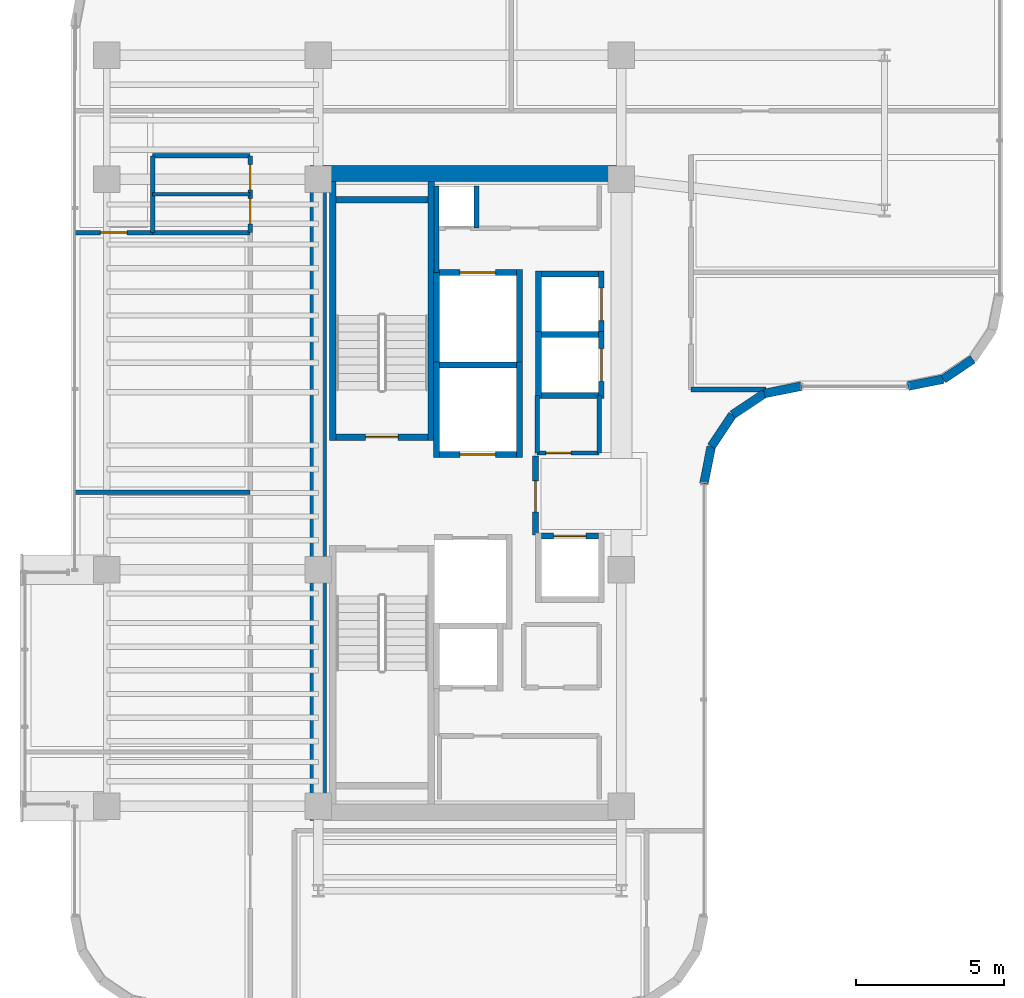
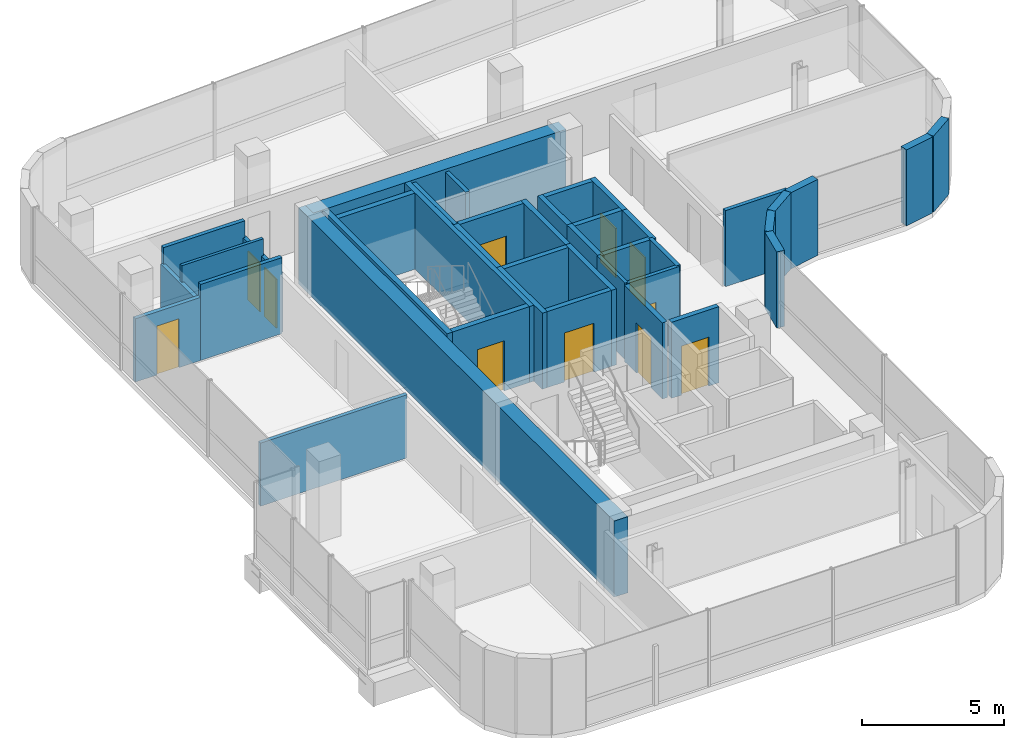
# One storey, part 19 of 22: 41 walls, 11 doors, 11 openings.
"""IFC4 building model written with IfcOpenShell, lengths in metres."""

import ifcopenshell
import ifcopenshell.guid

model = None  # the IFC model being written
_history = None  # IfcOwnerHistory: only IFC2X3 demands one
_inside = {}  # id of a spatial element -> (the spatial element, [elements in it])
_under = {}  # id of a project, library or spatial element -> (it, [spatial elements below it])
_declared = {}  # id of a project -> (the project, [libraries it declares])
_typed = {}  # id of a type object -> (the type object, [elements of that type])
_made_of = {}  # id of a material, layer set ... -> (it, [elements and type objects made of it])


def new_model(schema):
    """Start an empty IFC model of exactly this schema.

    Asked for "IFC4X3", IfcOpenShell would pick the latest addendum, in which some entities
    have other attributes; the version numbers below select the first issue.
    IFC2X3 requires an IfcOwnerHistory on every rooted entity: one is made here for all.
    """
    global model, _history
    if schema == "IFC4X3":
        model = ifcopenshell.file(schema_version=(4, 3, 0, 0))
    else:
        model = ifcopenshell.file(schema=schema)
    _inside.clear()
    _under.clear()
    _declared.clear()
    _typed.clear()
    _made_of.clear()
    _history = None
    if model.schema == "IFC2X3":
        org = make("IfcOrganization", Name="unknown")
        user = make(
            "IfcPersonAndOrganization",
            ThePerson=make("IfcPerson", FamilyName="unknown"),
            TheOrganization=org,
        )
        app = make(
            "IfcApplication",
            ApplicationDeveloper=org,
            Version="unknown",
            ApplicationFullName="unknown",
            ApplicationIdentifier="unknown",
        )
        _history = make(
            "IfcOwnerHistory",
            OwningUser=user,
            OwningApplication=app,
            ChangeAction="ADDED",
            CreationDate=0,
        )
    return model


def make(cls, **values):
    """One entity of the class cls with the attributes given. An attribute that is None is left unset."""
    return model.create_entity(
        cls, **{name: value for name, value in values.items() if value is not None}
    )


def rooted(cls, **values):
    """An entity with a GlobalId (a new one), such as an element, a storey or a relation."""
    return make(cls, GlobalId=ifcopenshell.guid.new(), OwnerHistory=_history, **values)


def si_unit(unit_type, name, prefix=None):
    """IfcSIUnit, for example si_unit("LENGTHUNIT", "METRE", prefix="MILLI")."""
    return make("IfcSIUnit", UnitType=unit_type, Prefix=prefix, Name=name)


def assignment(units):
    """IfcUnitAssignment: the units of a project."""
    return None if units is None else make("IfcUnitAssignment", Units=units)


def point(xyz):
    """IfcCartesianPoint."""
    return None if xyz is None else make("IfcCartesianPoint", Coordinates=xyz)


def direction(xyz):
    """IfcDirection."""
    return None if xyz is None else make("IfcDirection", DirectionRatios=xyz)


def frame(location, z_axis=None, x_axis=None):
    """IfcAxis2Placement3D, a coordinate frame: its origin and axes. An axis left out is left unset."""
    return make(
        "IfcAxis2Placement3D",
        Location=point(location),
        Axis=direction(z_axis),
        RefDirection=direction(x_axis),
    )


def frame_2d(location, x_axis=None):
    """IfcAxis2Placement2D, a coordinate frame in the plane: its origin and x axis."""
    return make(
        "IfcAxis2Placement2D", Location=point(location), RefDirection=direction(x_axis)
    )


def origin():
    """The frame at (0, 0, 0) with its axes left unset."""
    return frame((0.0, 0.0, 0.0))


def place(relative_to, where):
    """IfcLocalPlacement: puts the frame where relative to a parent placement (None: the world)."""
    return make(
        "IfcLocalPlacement", PlacementRelTo=relative_to, RelativePlacement=where
    )


def context(
    kind, dimensions, precision=None, world=None, true_north=None, identifier=None
):
    """IfcGeometricRepresentationContext, for example the 3D "Model" context."""
    return make(
        "IfcGeometricRepresentationContext",
        ContextIdentifier=identifier,
        ContextType=kind,
        CoordinateSpaceDimension=dimensions,
        Precision=precision,
        WorldCoordinateSystem=world,
        TrueNorth=true_north,
    )


def subcontext(parent, identifier, kind, view, scale=None):
    """IfcGeometricRepresentationSubContext, for example "Body" below "Model"."""
    return make(
        "IfcGeometricRepresentationSubContext",
        ContextIdentifier=identifier,
        ContextType=kind,
        ParentContext=parent,
        TargetScale=scale,
        TargetView=view,
    )


def project(units=None, contexts=None):
    """IfcProject with its units and contexts."""
    return rooted(
        "IfcProject",
        Name="project",
        RepresentationContexts=contexts,
        UnitsInContext=assignment(units),
    )


def spatial(cls, under=None, at=None, **own):
    """A site, building, storey or space (cls), placed at a placement, below another one or the project."""
    s = rooted(cls, ObjectPlacement=at, **own)
    if under is not None:
        _under.setdefault(under.id(), (under, []))[1].append(s)
    return s


def profile(cls, at=None, kind="AREA", **sizes):
    """A parametric profile (cls). Its sizes go by their IFC names, for example OverallWidth=200.0."""
    return make(cls, ProfileType=kind, Position=at, **sizes)


def rectangle(**sizes):
    """IfcRectangleProfileDef."""
    return profile("IfcRectangleProfileDef", **sizes)


def extrude(swept, where, along, depth):
    """IfcExtrudedAreaSolid: the profile swept, set in the frame where, extruded along a direction by depth."""
    return make(
        "IfcExtrudedAreaSolid",
        SweptArea=swept,
        Position=where,
        ExtrudedDirection=direction(along),
        Depth=depth,
    )


def shape(context_of_items, identifier, shape_type, items):
    """IfcShapeRepresentation: the items that make up one representation, for example the "Body"."""
    return make(
        "IfcShapeRepresentation",
        ContextOfItems=context_of_items,
        RepresentationIdentifier=identifier,
        RepresentationType=shape_type,
        Items=items,
    )


def material(Name=None, Category=None):
    """IfcMaterial."""
    return make("IfcMaterial", Name=Name, Category=Category)


def layer(
    of_material, thickness, ventilated=None, Name=None, Category=None, Priority=None
):
    """IfcMaterialLayer: one layer of a wall or slab, of a material (None: an air gap)."""
    return make(
        "IfcMaterialLayer",
        Material=of_material,
        LayerThickness=thickness,
        IsVentilated=ventilated,
        Name=Name,
        Category=Category,
        Priority=Priority,
    )


def layer_set(layers, Name=None):
    """IfcMaterialLayerSet."""
    return make("IfcMaterialLayerSet", MaterialLayers=layers, LayerSetName=Name)


def made_of(thing, what):
    """Note that an element or type object is made of a material, layer set ...; save() writes the relation."""
    if what is not None:
        _made_of.setdefault(what.id(), (what, []))[1].append(thing)
    return thing


def type_object(cls, material=None, **own):
    """A type object (cls), such as IfcWallType, which elements share."""
    return made_of(rooted(cls, **own), material)


def element(
    cls,
    number,
    at=None,
    inside=None,
    cuts=None,
    type_object=None,
    material=None,
    context=None,
    identifier="Body",
    shape_type=None,
    held_by="IfcProductDefinitionShape",
    body=None,
    shapes=None,
    **own,
):
    """One element of the class cls, such as IfcWall. Its Tag is "e" and its number.

    at: its placement. inside: the storey or other place that contains it. cuts: it is an
    opening in that element (IfcRelVoidsElement). A single representation is given by context,
    identifier, shape_type and body (its items); several are given by shapes. held_by: the class
    of the entity that holds the representations. save() writes the other relations.
    """
    e = rooted(cls, Tag="e%d" % number, ObjectPlacement=at, **own)
    if body is not None:
        shapes = [shape(context, identifier, shape_type, body)]
    if shapes is not None:
        e.Representation = make(held_by, Representations=shapes)
    if inside is not None:
        _inside.setdefault(inside.id(), (inside, []))[1].append(e)
    if cuts is not None:
        rooted(
            "IfcRelVoidsElement", RelatingBuildingElement=cuts, RelatedOpeningElement=e
        )
    if type_object is not None:
        _typed.setdefault(type_object.id(), (type_object, []))[1].append(e)
    return made_of(e, material)


def fill(opening, filler):
    """IfcRelFillsElement: the door or window that sits in an opening."""
    return rooted(
        "IfcRelFillsElement",
        RelatingOpeningElement=opening,
        RelatedBuildingElement=filler,
    )


def aggregate(whole, parts):
    """IfcRelAggregates: a whole, such as a stair, and the parts it consists of."""
    return rooted("IfcRelAggregates", RelatingObject=whole, RelatedObjects=parts)


def save(model, path):
    """Write the relations noted so far, then the file.

    IfcRelAggregates (storeys below a building ...), IfcRelContainedInSpatialStructure (elements
    in a storey), IfcRelDefinesByType, IfcRelAssociatesMaterial and IfcRelDeclares: one each for
    every whole, place, type object, material and project.
    """
    for whole, parts in _under.values():
        aggregate(whole, parts)
    for where, things in _inside.values():
        rooted(
            "IfcRelContainedInSpatialStructure",
            RelatedElements=things,
            RelatingStructure=where,
        )
    for kind, things in _typed.values():
        rooted("IfcRelDefinesByType", RelatedObjects=things, RelatingType=kind)
    for what, things in _made_of.values():
        rooted("IfcRelAssociatesMaterial", RelatedObjects=things, RelatingMaterial=what)
    for by, libraries in _declared.values():
        rooted("IfcRelDeclares", RelatingContext=by, RelatedDefinitions=libraries)
    model.write(path)


model = new_model("IFC4")

# Units and contexts
model_context = context("Model", 3, precision=1e-05, world=origin(), true_north=direction((0.0, 1.0)))
body_context = subcontext(model_context, "Body", "Model", "MODEL_VIEW")
ifc_project = project(units=[si_unit("LENGTHUNIT", "METRE"), si_unit("AREAUNIT", "SQUARE_METRE"), si_unit("VOLUMEUNIT", "CUBIC_METRE"), si_unit("PLANEANGLEUNIT", "RADIAN"), si_unit("MASSUNIT", "GRAM", prefix="KILO")], contexts=[model_context])

# Site, building, storey
site_placement = place(None, origin())
site = spatial("IfcSite", under=ifc_project, at=site_placement, CompositionType="ELEMENT")
building_placement = place(site_placement, origin())
building = spatial("IfcBuilding", under=site, at=building_placement, Name="Valdorenza Pilgrim Sanctuary Tower", CompositionType="ELEMENT")
storey_placement = place(building_placement, frame((0.0, 0.0, 233.5)))
storey = spatial("IfcBuildingStorey", under=building, at=storey_placement, Name="L60", CompositionType="ELEMENT", Elevation=233.5)

# Walls
ifc_material_1 = material(Name="Acoustic twin-stud gypsum partition", Category="gypsum")
ifc_layer_1 = layer(ifc_material_1, 0.159912109375, Name="Acoustic twin-stud gypsum partition")
ifc_layer_set_1 = layer_set([ifc_layer_1], Name="Acoustic twin-stud gypsum partition")
wall_type_1 = type_object("IfcWallType", Name="WAL-COR-160", PredefinedType="PARTITIONING", material=ifc_layer_set_1)
wall_1_placement = place(storey_placement, frame((-18.64990234375, 7.449951171875, 0.0), z_axis=(0.0, 0.0, 1.0), x_axis=(0.0, 1.0, 0.0)))
element("IfcWall", 1, at=wall_1_placement, inside=storey, type_object=wall_type_1, Name="L60 Core A North Service West Wall", PredefinedType="PARTITIONING", context=body_context, shape_type="SweptSolid", body=[
    extrude(rectangle(XDim=2.929931640625, YDim=0.159912109375, at=frame_2d((1.46484375, 0.0))), origin(), (0.0, 0.0, 1.0), 3.260009765625),
])
wall_2_placement = place(storey_placement, frame((-17.300048828125, 8.949951171875, 0.0), z_axis=(0.0, 0.0, 1.0), x_axis=(0.0, 1.0, 0.0)))
element("IfcWall", 2, at=wall_2_placement, inside=storey, type_object=wall_type_1, Name="L60 Core Electrical Riser Wall", PredefinedType="PARTITIONING", context=body_context, shape_type="SweptSolid", body=[
    extrude(rectangle(XDim=1.429931640625, YDim=0.159912109375, at=frame_2d((0.71484375, 0.0))), origin(), (0.0, 0.0, 1.0), 3.260009765625),
])
wall_3_placement = place(storey_placement, frame((-13.14990234375, 1.35009765625, 0.0), z_axis=(0.0, 0.0, 1.0), x_axis=(0.0, 1.0, 0.0)))
element("IfcWall", 3, at=wall_3_placement, inside=storey, type_object=wall_type_1, Name="L60 Freed Shaft 6 East Wall", PredefinedType="PARTITIONING", context=body_context, shape_type="SweptSolid", body=[
    extrude(rectangle(XDim=1.949951171875, YDim=0.159912109375, at=frame_2d((0.97509765625, 0.0))), origin(), (0.0, 0.0, 1.0), 3.260009765625),
])
wall_4_placement = place(storey_placement, frame((-28.25, 8.800048828125, 0.0), z_axis=(0.0, 0.0, 1.0), x_axis=(0.0, 1.0, 0.0)))
element("IfcWall", 4, at=wall_4_placement, inside=storey, type_object=wall_type_1, Name="L60 Washroom West Wall", PredefinedType="PARTITIONING", context=body_context, shape_type="SweptSolid", body=[
    extrude(rectangle(XDim=2.599853515625, YDim=0.159912109375, at=frame_2d((1.2998046875, 0.0))), origin(), (0.0, 0.0, 1.0), 2.5439453125),
])

# Wall, openings, doors
wall_5_placement = place(storey_placement, frame((-24.949951171875, 8.800048828125, 0.0), z_axis=(0.0, 0.0, 1.0), x_axis=(0.0, 1.0, 0.0)))
wall_5 = element("IfcWall", 5, at=wall_5_placement, inside=storey, type_object=wall_type_1, Name="L60 Washroom East Wall", PredefinedType="PARTITIONING", context=body_context, shape_type="SweptSolid", body=[
    extrude(rectangle(XDim=2.599853515625, YDim=0.159912109375, at=frame_2d((1.2998046875, 0.0))), origin(), (0.0, 0.0, 1.0), 2.5439453125),
])
opening_1_placement = place(wall_5_placement, frame((0.300048828125, 0.0, 0.0)))
opening_1 = element("IfcOpeningElement", 6, at=opening_1_placement, cuts=wall_5, Name="Opening DR-WC1", PredefinedType="OPENING", context=body_context, shape_type="SweptSolid", body=[
    extrude(rectangle(XDim=0.85009765625, YDim=2.10009765625, at=frame_2d((0.425048828125, 1.050048828125))), frame((0.0, 0.0947265625, 0.0), z_axis=(0.0, -1.0, 0.0), x_axis=(1.0, 0.0, 0.0)), (0.0, 0.0, 1.0), 0.189697265625),
])
opening_2_placement = place(wall_5_placement, frame((1.449951171875, 0.0, 0.0)))
opening_2 = element("IfcOpeningElement", 7, at=opening_2_placement, cuts=wall_5, Name="Opening DR-WC1", PredefinedType="OPENING", context=body_context, shape_type="SweptSolid", body=[
    extrude(rectangle(XDim=0.85009765625, YDim=2.10009765625, at=frame_2d((0.425048828125, 1.050048828125))), frame((0.0, 0.0947265625, 0.0), z_axis=(0.0, -1.0, 0.0), x_axis=(1.0, 0.0, 0.0)), (0.0, 0.0, 1.0), 0.189697265625),
])
ifc_material_2 = material(Name="Moisture-resistant lacquered timber", Category="wood")
door_type_1 = type_object("IfcDoorType", Name="DR-BATH-850", OperationType="NOTDEFINED", PredefinedType="DOOR", material=ifc_material_2)
door_1_placement = place(opening_1_placement, origin())
door_1 = element("IfcDoor", 8, at=door_1_placement, inside=storey, type_object=door_type_1, Name="L60 Accessible Washroom Door", OperationType="SINGLE_SWING_RIGHT", OverallHeight=2.10009765625, OverallWidth=0.85009765625, PredefinedType="DOOR", context=body_context, shape_type="SweptSolid", body=[
    extrude(rectangle(XDim=0.85009765625, YDim=2.10009765625, at=frame_2d((0.425048828125, 1.050048828125))), frame((0.0, 0.02490234375, 0.0), z_axis=(0.0, -1.0, 0.0), x_axis=(1.0, 0.0, 0.0)), (0.0, 0.0, 1.0), 0.050048828125),
])
fill(opening_1, door_1)
door_2_placement = place(opening_2_placement, origin())
door_2 = element("IfcDoor", 9, at=door_2_placement, inside=storey, type_object=door_type_1, Name="L60 Public Washroom Door", OperationType="SINGLE_SWING_LEFT", OverallHeight=2.10009765625, OverallWidth=0.85009765625, PredefinedType="DOOR", context=body_context, shape_type="SweptSolid", body=[
    extrude(rectangle(XDim=0.85009765625, YDim=2.10009765625, at=frame_2d((0.425048828125, 1.050048828125))), frame((0.0, 0.02490234375, 0.0), z_axis=(0.0, -1.0, 0.0), x_axis=(1.0, 0.0, 0.0)), (0.0, 0.0, 1.0), 0.050048828125),
])
fill(opening_2, door_2)

# Walls
for number, where, z_axis, x_axis, name in (
    (10, (-28.25, 8.800048828125, 0.0), (0.0, 0.0, 1.0), (1.0, 0.0, 0.0), "L60 Washroom South Wall"),
    (11, (-28.25, 11.39990234375, 0.0), (0.0, 0.0, 1.0), (1.0, 0.0, 0.0), "L60 Washroom North Wall"),
):
    element("IfcWall", number, at=place(storey_placement, frame(where, z_axis=z_axis, x_axis=x_axis)), inside=storey, type_object=wall_type_1, Name=name, PredefinedType="PARTITIONING", context=body_context, shape_type="SweptSolid", body=[
        extrude(rectangle(XDim=3.300048828125, YDim=0.159912109375, at=frame_2d((1.64990234375, 0.0))), origin(), (0.0, 0.0, 1.0), 3.260009765625),
    ])

# Wall, opening, door
wall_6_placement = place(storey_placement, frame((-30.889892578125, 8.800048828125, 0.0), z_axis=(0.0, 0.0, 1.0), x_axis=(1.0, 0.0, 0.0)))
wall_6 = element("IfcWall", 12, at=wall_6_placement, inside=storey, type_object=wall_type_1, Name="L60 West North Alcove Wall", PredefinedType="PARTITIONING", context=body_context, shape_type="SweptSolid", body=[
    extrude(rectangle(XDim=2.639892578125, YDim=0.159912109375, at=frame_2d((1.31982421875, 0.0))), origin(), (0.0, 0.0, 1.0), 2.7060546875),
])
opening_3_placement = place(wall_6_placement, frame((0.8701171875, 0.0, 0.0)))
opening_3 = element("IfcOpeningElement", 13, at=opening_3_placement, cuts=wall_6, Name="Opening DR-RM1", PredefinedType="OPENING", context=body_context, shape_type="SweptSolid", body=[
    extrude(rectangle(XDim=0.89990234375, YDim=2.10009765625, at=frame_2d((0.449951171875, 1.050048828125))), frame((0.0, 0.0947265625, 0.0), z_axis=(0.0, -1.0, 0.0), x_axis=(1.0, 0.0, 0.0)), (0.0, 0.0, 1.0), 0.189697265625),
])
ifc_material_3 = material(Name="Solid-core European oak timber", Category="wood")
door_type_2 = type_object("IfcDoorType", Name="DR-ROOM-900", OperationType="NOTDEFINED", PredefinedType="DOOR", material=ifc_material_3)
door_3_placement = place(opening_3_placement, origin())
door_3 = element("IfcDoor", 14, at=door_3_placement, inside=storey, type_object=door_type_2, Name="L60 Pilgrim Scholar Office L60-WN Door", OperationType="SINGLE_SWING_RIGHT", OverallHeight=2.10009765625, OverallWidth=0.89990234375, PredefinedType="DOOR", context=body_context, shape_type="SweptSolid", body=[
    extrude(rectangle(XDim=0.89990234375, YDim=2.10009765625, at=frame_2d((0.449951171875, 1.050048828125))), frame((0.0, 0.02490234375, 0.0), z_axis=(0.0, -1.0, 0.0), x_axis=(1.0, 0.0, 0.0)), (0.0, 0.0, 1.0), 0.050048828125),
])
fill(opening_3, door_3)

# Walls
wall_7_placement = place(storey_placement, frame((-10.050048828125, 3.5, 0.0), z_axis=(0.0, 0.0, 1.0), x_axis=(1.0, 0.0, 0.0)))
element("IfcWall", 15, at=wall_7_placement, inside=storey, type_object=wall_type_1, Name="L60 East Stub South Wall", PredefinedType="PARTITIONING", context=body_context, shape_type="SweptSolid", body=[
    extrude(rectangle(XDim=2.545654296875, YDim=0.159912109375, at=frame_2d((1.27294921875, 0.0))), origin(), (0.0, 0.0, 1.0), 3.260009765625),
])
ifc_material_4 = material(Name="Concrete C50/60", Category="concrete")
ifc_layer_2 = layer(ifc_material_4, 0.550048828125, Name="Concrete C50/60")
ifc_layer_set_2 = layer_set([ifc_layer_2], Name="Concrete C50/60")
wall_type_2 = type_object("IfcWallType", Name="WAL-COR-550", PredefinedType="SHEAR", material=ifc_layer_set_2)
wall_8_placement = place(storey_placement, frame((-22.64990234375, -11.074951171875, 0.0), z_axis=(0.0, 0.0, 1.0), x_axis=(0.0, 1.0, 0.0)))
element("IfcWall", 16, at=wall_8_placement, inside=storey, type_object=wall_type_2, Name="L60 Split Core A Shear Wall W", PredefinedType="SHEAR", context=body_context, shape_type="SweptSolid", body=[
    extrude(rectangle(XDim=22.14990234375, YDim=0.550048828125, at=frame_2d((11.074951171875, 0.0))), origin(), (0.0, 0.0, 1.0), 3.260009765625),
])
wall_9_placement = place(storey_placement, frame((-22.64990234375, 10.800048828125, 0.0), z_axis=(0.0, 0.0, 1.0), x_axis=(1.0, 0.0, 0.0)))
element("IfcWall", 17, at=wall_9_placement, inside=storey, type_object=wall_type_2, Name="L60 Split Core A Shear Wall N", PredefinedType="SHEAR", context=body_context, shape_type="SweptSolid", body=[
    extrude(rectangle(XDim=10.25, YDim=0.550048828125, at=frame_2d((5.125, 0.0))), origin(), (0.0, 0.0, 1.0), 3.260009765625),
])
ifc_material_5 = material(Name="Honed travertine limestone", Category="masonry")
ifc_layer_3 = layer(ifc_material_5, 0.300048828125, Name="Honed travertine limestone")
ifc_layer_set_3 = layer_set([ifc_layer_3], Name="Honed travertine limestone")
wall_type_3 = type_object("IfcWallType", Name="WAL-EXT-300", PredefinedType="SOLIDWALL", material=ifc_layer_set_3)
wall_10_placement = place(storey_placement, frame((-0.5166015625, 4.5166015625, 0.0), z_axis=(0.0, 0.0, 1.0), x_axis=(-0.831426265255, -0.555635100982, 0.0)))
element("IfcWall", 18, at=wall_10_placement, inside=storey, type_object=wall_type_3, Name="L60 Rounded Wind-Corner Stone Pier 14", PredefinedType="SOLIDWALL", context=body_context, shape_type="SweptSolid", body=[
    extrude(rectangle(XDim=1.204833984375, YDim=0.300048828125, at=frame_2d((0.6025390625, 0.0))), origin(), (0.0, 0.0, 1.0), 3.260009765625),
])
wall_11_placement = place(storey_placement, frame((-1.518310546875, 3.84716796875, 0.0), z_axis=(0.0, 0.0, 1.0), x_axis=(-0.980804027463, -0.194996050505, 0.0)))
element("IfcWall", 19, at=wall_11_placement, inside=storey, type_object=wall_type_3, Name="L60 Rounded Wind-Corner Stone Pier 15", PredefinedType="SOLIDWALL", context=body_context, shape_type="SweptSolid", body=[
    extrude(rectangle(XDim=1.2158203125, YDim=0.300048828125, at=frame_2d((0.60791015625, 0.0))), origin(), (0.0, 0.0, 1.0), 3.260009765625),
])
wall_12_placement = place(storey_placement, frame((-6.310791015625, 3.610107421875, 0.0), z_axis=(0.0, 0.0, 1.0), x_axis=(-0.980778058848, -0.195126623715, 0.0)))
element("IfcWall", 20, at=wall_12_placement, inside=storey, type_object=wall_type_3, Name="L60 Rounded Wind-Corner Stone Pier 17", PredefinedType="SOLIDWALL", context=body_context, shape_type="SweptSolid", body=[
    extrude(rectangle(XDim=1.28125, YDim=0.300048828125, at=frame_2d((0.640625, 0.0))), origin(), (0.0, 0.0, 1.0), 3.260009765625),
])
for number, where, z_axis, x_axis, name in (
    (21, (-7.5673828125, 3.360107421875, 0.0), (0.0, 0.0, 1.0), (-0.831497739511, -0.555528135371, 0.0), "L60 Rounded Wind-Corner Stone Pier 18"),
    (22, (-8.64208984375, 2.64208984375, 0.0), (0.0, 0.0, 1.0), (-0.555528135371, -0.831497739511, 0.0), "L60 Rounded Wind-Corner Stone Pier 19"),
):
    element("IfcWall", number, at=place(storey_placement, frame(where, z_axis=z_axis, x_axis=x_axis)), inside=storey, type_object=wall_type_3, Name=name, PredefinedType="SOLIDWALL", context=body_context, shape_type="SweptSolid", body=[
        extrude(rectangle(XDim=1.29248046875, YDim=0.300048828125, at=frame_2d((0.646240234375, 0.0))), origin(), (0.0, 0.0, 1.0), 3.260009765625),
    ])
wall_13_placement = place(storey_placement, frame((-9.360107421875, 1.5673828125, 0.0), z_axis=(0.0, 0.0, 1.0), x_axis=(-0.195126623715, -0.980778058848, 0.0)))
element("IfcWall", 23, at=wall_13_placement, inside=storey, type_object=wall_type_3, Name="L60 Rounded Wind-Corner Stone Pier 20", PredefinedType="SOLIDWALL", context=body_context, shape_type="SweptSolid", body=[
    extrude(rectangle(XDim=1.28125, YDim=0.300048828125, at=frame_2d((0.640625, 0.0))), origin(), (0.0, 0.0, 1.0), 3.260009765625),
])

# Wall, opening, door
ifc_material_6 = material(Name="Gypsum shaftwall partition", Category="gypsum")
ifc_layer_4 = layer(ifc_material_6, 0.199951171875, Name="Gypsum shaftwall partition")
ifc_layer_set_4 = layer_set([ifc_layer_4], Name="Gypsum shaftwall partition")
wall_type_4 = type_object("IfcWallType", Name="WAL-FFL-200", PredefinedType="PARTITIONING", material=ifc_layer_set_4)
wall_14_placement = place(storey_placement, frame((-15.300048828125, -1.419921875, 0.0), z_axis=(0.0, 0.0, 1.0), x_axis=(0.0, 1.0, 0.0)))
wall_14 = element("IfcWall", 24, at=wall_14_placement, inside=storey, type_object=wall_type_4, Name="L60 Core A Firefighting Lobby East Wall", PredefinedType="PARTITIONING", context=body_context, shape_type="SweptSolid", body=[
    extrude(rectangle(XDim=2.669921875, YDim=0.199951171875, at=frame_2d((1.3349609375, 0.0))), origin(), (0.0, 0.0, 1.0), 3.260009765625),
])
opening_4_placement = place(wall_14_placement, frame((0.780029296875, 0.0, 0.0)))
opening_4 = element("IfcOpeningElement", 25, at=opening_4_placement, cuts=wall_14, Name="Opening DR-FL1", PredefinedType="OPENING", context=body_context, shape_type="SweptSolid", body=[
    extrude(rectangle(XDim=1.050048828125, YDim=2.14990234375, at=frame_2d((0.52490234375, 1.074951171875))), frame((0.0, 0.11474609375, 0.0), z_axis=(0.0, -1.0, 0.0), x_axis=(1.0, 0.0, 0.0)), (0.0, 0.0, 1.0), 0.229736328125),
])
ifc_material_7 = material(Name="Painted galvanized steel", Category="steel")
door_type_3 = type_object("IfcDoorType", Name="DR-FFL-1050", OperationType="NOTDEFINED", PredefinedType="DOOR", material=ifc_material_7)
door_4_placement = place(opening_4_placement, origin())
door_4 = element("IfcDoor", 26, at=door_4_placement, inside=storey, type_object=door_type_3, Name="L60 Core A Firefighting Lobby Door", OperationType="SINGLE_SWING_RIGHT", OverallHeight=2.14990234375, OverallWidth=1.050048828125, PredefinedType="DOOR", context=body_context, shape_type="SweptSolid", body=[
    extrude(rectangle(XDim=1.050048828125, YDim=2.14990234375, at=frame_2d((0.52490234375, 1.074951171875))), frame((0.0, 0.02490234375, 0.0), z_axis=(0.0, -1.0, 0.0), x_axis=(1.0, 0.0, 0.0)), (0.0, 0.0, 1.0), 0.050048828125),
])
fill(opening_4, door_4)

# Walls
ifc_material_8 = material(Name="Moisture-resistant gypsum partition", Category="gypsum")
ifc_layer_5 = layer(ifc_material_8, 0.1201171875, Name="Moisture-resistant gypsum partition")
ifc_layer_set_5 = layer_set([ifc_layer_5], Name="Moisture-resistant gypsum partition")
wall_type_5 = type_object("IfcWallType", Name="WAL-INT-120", PredefinedType="PARTITIONING", material=ifc_layer_set_5)
wall_15_placement = place(storey_placement, frame((-28.25, 10.10009765625, 0.0), z_axis=(0.0, 0.0, 1.0), x_axis=(1.0, 0.0, 0.0)))
element("IfcWall", 27, at=wall_15_placement, inside=storey, type_object=wall_type_5, Name="L60 Washroom Divider Wall", PredefinedType="PARTITIONING", context=body_context, shape_type="SweptSolid", body=[
    extrude(rectangle(XDim=3.300048828125, YDim=0.1201171875, at=frame_2d((1.64990234375, 0.0))), origin(), (0.0, 0.0, 1.0), 3.260009765625),
])
ifc_material_9 = material(Name="Autoclaved aerated concrete blockwork", Category="masonry")
ifc_layer_6 = layer(ifc_material_9, 0.199951171875, Name="Autoclaved aerated concrete blockwork")
ifc_layer_set_6 = layer_set([ifc_layer_6], Name="Autoclaved aerated concrete blockwork")
wall_type_6 = type_object("IfcWallType", Name="WAL-SHF-200", PredefinedType="MOVABLE", material=ifc_layer_set_6)
for number, where, z_axis, x_axis, name in (
    (28, (-18.64990234375, 1.199951171875, 0.0), (0.0, 0.0, 1.0), (0.0, 1.0, 0.0), "L60 Lift FFL-01 Hoistway Wall West"),
    (29, (-15.85009765625, 1.199951171875, 0.0), (0.0, 0.0, 1.0), (0.0, 1.0, 0.0), "L60 Lift FFL-01 Hoistway Wall East"),
):
    element("IfcWall", number, at=place(storey_placement, frame(where, z_axis=z_axis, x_axis=x_axis)), inside=storey, type_object=wall_type_6, Name=name, PredefinedType="MOVABLE", context=body_context, shape_type="SweptSolid", body=[
        extrude(rectangle(XDim=3.22509765625, YDim=0.199951171875, at=frame_2d((1.612548828125, 0.0))), origin(), (0.0, 0.0, 1.0), 3.260009765625),
    ])

# Wall, opening, door
wall_16_placement = place(storey_placement, frame((-18.550048828125, 1.300048828125, 0.0), z_axis=(0.0, 0.0, 1.0), x_axis=(1.0, 0.0, 0.0)))
wall_16 = element("IfcWall", 30, at=wall_16_placement, inside=storey, type_object=wall_type_6, Name="L60 Lift FFL-01 Hoistway Wall South", PredefinedType="MOVABLE", context=body_context, shape_type="SweptSolid", body=[
    extrude(rectangle(XDim=2.60009765625, YDim=0.199951171875, at=frame_2d((1.300048828125, 0.0))), origin(), (0.0, 0.0, 1.0), 3.260009765625),
])
opening_5_placement = place(wall_16_placement, frame((0.699951171875, 0.0, 0.0)))
opening_5 = element("IfcOpeningElement", 31, at=opening_5_placement, cuts=wall_16, Name="Opening LD-02", PredefinedType="OPENING", context=body_context, shape_type="SweptSolid", body=[
    extrude(rectangle(XDim=1.199951171875, YDim=2.10009765625, at=frame_2d((0.60009765625, 1.050048828125))), frame((0.0, 0.11474609375, 0.0), z_axis=(0.0, -1.0, 0.0), x_axis=(1.0, 0.0, 0.0)), (0.0, 0.0, 1.0), 0.229736328125),
])
ifc_material_10 = material(Name="Brushed stainless steel Grade 316", Category="steel")
door_type_4 = type_object("IfcDoorType", Name="DR-LFT-1200", OperationType="DOUBLE_DOOR_SLIDING", PredefinedType="DOOR", material=ifc_material_10)
door_5_placement = place(opening_5_placement, origin())
door_5 = element("IfcDoor", 32, at=door_5_placement, inside=storey, type_object=door_type_4, Name="L60 Lift FFL-01 Sliding Landing Door", OperationType="DOUBLE_DOOR_SLIDING", OverallHeight=2.10009765625, OverallWidth=1.199951171875, PredefinedType="DOOR", context=body_context, shape_type="SweptSolid", body=[
    extrude(rectangle(XDim=1.199951171875, YDim=2.10009765625, at=frame_2d((0.60009765625, 1.050048828125))), frame((0.0, 0.02490234375, 0.0), z_axis=(0.0, -1.0, 0.0), x_axis=(1.0, 0.0, 0.0)), (0.0, 0.0, 1.0), 0.050048828125),
])
fill(opening_5, door_5)

# Walls
wall_17_placement = place(storey_placement, frame((-18.550048828125, 4.324951171875, 0.0), z_axis=(0.0, 0.0, 1.0), x_axis=(1.0, 0.0, 0.0)))
element("IfcWall", 33, at=wall_17_placement, inside=storey, type_object=wall_type_6, Name="L60 Lift FFL-01 Hoistway Wall North", PredefinedType="MOVABLE", context=body_context, shape_type="SweptSolid", body=[
    extrude(rectangle(XDim=2.60009765625, YDim=0.199951171875, at=frame_2d((1.300048828125, 0.0))), origin(), (0.0, 0.0, 1.0), 3.260009765625),
])
for number, where, z_axis, x_axis, name in (
    (34, (-18.64990234375, 4.22509765625, 0.0), (0.0, 0.0, 1.0), (0.0, 1.0, 0.0), "L60 Lift SVL-01 Hoistway Wall West"),
    (35, (-15.85009765625, 4.22509765625, 0.0), (0.0, 0.0, 1.0), (0.0, 1.0, 0.0), "L60 Lift SVL-01 Hoistway Wall East"),
):
    element("IfcWall", number, at=place(storey_placement, frame(where, z_axis=z_axis, x_axis=x_axis)), inside=storey, type_object=wall_type_6, Name=name, PredefinedType="MOVABLE", context=body_context, shape_type="SweptSolid", body=[
        extrude(rectangle(XDim=3.324951171875, YDim=0.199951171875, at=frame_2d((1.66259765625, 0.0))), origin(), (0.0, 0.0, 1.0), 3.260009765625),
    ])

# Wall, opening, door
wall_18_placement = place(storey_placement, frame((-18.550048828125, 7.449951171875, 0.0), z_axis=(0.0, 0.0, 1.0), x_axis=(1.0, 0.0, 0.0)))
wall_18 = element("IfcWall", 36, at=wall_18_placement, inside=storey, type_object=wall_type_6, Name="L60 Lift SVL-01 Hoistway Wall North", PredefinedType="MOVABLE", context=body_context, shape_type="SweptSolid", body=[
    extrude(rectangle(XDim=2.60009765625, YDim=0.199951171875, at=frame_2d((1.300048828125, 0.0))), origin(), (0.0, 0.0, 1.0), 3.260009765625),
])
opening_6_placement = place(wall_18_placement, frame((0.699951171875, 0.0, 0.0)))
opening_6 = element("IfcOpeningElement", 37, at=opening_6_placement, cuts=wall_18, Name="Opening LD-02", PredefinedType="OPENING", context=body_context, shape_type="SweptSolid", body=[
    extrude(rectangle(XDim=1.199951171875, YDim=2.10009765625, at=frame_2d((0.60009765625, 1.050048828125))), frame((0.0, 0.11474609375, 0.0), z_axis=(0.0, -1.0, 0.0), x_axis=(1.0, 0.0, 0.0)), (0.0, 0.0, 1.0), 0.229736328125),
])
door_6_placement = place(opening_6_placement, origin())
door_6 = element("IfcDoor", 38, at=door_6_placement, inside=storey, type_object=door_type_4, Name="L60 Lift SVL-01 Sliding Landing Door", OperationType="DOUBLE_DOOR_SLIDING", OverallHeight=2.10009765625, OverallWidth=1.199951171875, PredefinedType="DOOR", context=body_context, shape_type="SweptSolid", body=[
    extrude(rectangle(XDim=1.199951171875, YDim=2.10009765625, at=frame_2d((0.60009765625, 1.050048828125))), frame((0.0, 0.02490234375, 0.0), z_axis=(0.0, -1.0, 0.0), x_axis=(1.0, 0.0, 0.0)), (0.0, 0.0, 1.0), 0.050048828125),
])
fill(opening_6, door_6)

# Wall
wall_19_placement = place(storey_placement, frame((-15.199951171875, 3.199951171875, 0.0), z_axis=(0.0, 0.0, 1.0), x_axis=(0.0, 1.0, 0.0)))
element("IfcWall", 39, at=wall_19_placement, inside=storey, type_object=wall_type_6, Name="L60 Lift PL-09 Hoistway Wall West", PredefinedType="MOVABLE", context=body_context, shape_type="SweptSolid", body=[
    extrude(rectangle(XDim=2.25, YDim=0.199951171875, at=frame_2d((1.125, 0.0))), origin(), (0.0, 0.0, 1.0), 3.260009765625),
])

# Wall, opening, door
wall_20_placement = place(storey_placement, frame((-13.080078125, 3.199951171875, 0.0), z_axis=(0.0, 0.0, 1.0), x_axis=(0.0, 1.0, 0.0)))
wall_20 = element("IfcWall", 40, at=wall_20_placement, inside=storey, type_object=wall_type_6, Name="L60 Lift PL-09 Hoistway Wall East", PredefinedType="MOVABLE", context=body_context, shape_type="SweptSolid", body=[
    extrude(rectangle(XDim=2.25, YDim=0.199951171875, at=frame_2d((1.125, 0.0))), origin(), (0.0, 0.0, 1.0), 3.260009765625),
])
opening_7_placement = place(wall_20_placement, frame((0.574951171875, 0.0, 0.0)))
opening_7 = element("IfcOpeningElement", 41, at=opening_7_placement, cuts=wall_20, Name="Opening LD-01", PredefinedType="OPENING", context=body_context, shape_type="SweptSolid", body=[
    extrude(rectangle(XDim=1.10009765625, YDim=2.10009765625, at=frame_2d((0.550048828125, 1.050048828125))), frame((0.0, 0.11474609375, 0.0), z_axis=(0.0, -1.0, 0.0), x_axis=(1.0, 0.0, 0.0)), (0.0, 0.0, 1.0), 0.229736328125),
])
door_type_5 = type_object("IfcDoorType", Name="DR-LFT-1100", OperationType="DOUBLE_DOOR_SLIDING", PredefinedType="DOOR", material=ifc_material_10)
door_7_placement = place(opening_7_placement, origin())
door_7 = element("IfcDoor", 42, at=door_7_placement, inside=storey, type_object=door_type_5, Name="L60 Lift PL-09 Sliding Landing Door", OperationType="DOUBLE_DOOR_SLIDING", OverallHeight=2.10009765625, OverallWidth=1.10009765625, PredefinedType="DOOR", context=body_context, shape_type="SweptSolid", body=[
    extrude(rectangle(XDim=1.10009765625, YDim=2.10009765625, at=frame_2d((0.550048828125, 1.050048828125))), frame((0.0, 0.02490234375, 0.0), z_axis=(0.0, -1.0, 0.0), x_axis=(1.0, 0.0, 0.0)), (0.0, 0.0, 1.0), 0.050048828125),
])
fill(opening_7, door_7)

# Walls
for number, where, z_axis, x_axis, name in (
    (43, (-15.10009765625, 3.300048828125, 0.0), (0.0, 0.0, 1.0), (1.0, 0.0, 0.0), "L60 Lift PL-09 Hoistway Wall South"),
    (44, (-15.10009765625, 5.35009765625, 0.0), (0.0, 0.0, 1.0), (1.0, 0.0, 0.0), "L60 Lift PL-09 Hoistway Wall North"),
):
    element("IfcWall", number, at=place(storey_placement, frame(where, z_axis=z_axis, x_axis=x_axis)), inside=storey, type_object=wall_type_6, Name=name, PredefinedType="MOVABLE", context=body_context, shape_type="SweptSolid", body=[
        extrude(rectangle(XDim=1.920166015625, YDim=0.199951171875, at=frame_2d((0.9599609375, 0.0))), origin(), (0.0, 0.0, 1.0), 3.260009765625),
    ])
wall_21_placement = place(storey_placement, frame((-15.199951171875, 5.25, 0.0), z_axis=(0.0, 0.0, 1.0), x_axis=(0.0, 1.0, 0.0)))
element("IfcWall", 45, at=wall_21_placement, inside=storey, type_object=wall_type_6, Name="L60 Lift PL-10 Hoistway Wall West", PredefinedType="MOVABLE", context=body_context, shape_type="SweptSolid", body=[
    extrude(rectangle(XDim=2.25, YDim=0.199951171875, at=frame_2d((1.125, 0.0))), origin(), (0.0, 0.0, 1.0), 3.260009765625),
])

# Wall, opening, door
wall_22_placement = place(storey_placement, frame((-13.080078125, 5.25, 0.0), z_axis=(0.0, 0.0, 1.0), x_axis=(0.0, 1.0, 0.0)))
wall_22 = element("IfcWall", 46, at=wall_22_placement, inside=storey, type_object=wall_type_6, Name="L60 Lift PL-10 Hoistway Wall East", PredefinedType="MOVABLE", context=body_context, shape_type="SweptSolid", body=[
    extrude(rectangle(XDim=2.25, YDim=0.199951171875, at=frame_2d((1.125, 0.0))), origin(), (0.0, 0.0, 1.0), 3.260009765625),
])
opening_8_placement = place(wall_22_placement, frame((0.574951171875, 0.0, 0.0)))
opening_8 = element("IfcOpeningElement", 47, at=opening_8_placement, cuts=wall_22, Name="Opening LD-01", PredefinedType="OPENING", context=body_context, shape_type="SweptSolid", body=[
    extrude(rectangle(XDim=1.10009765625, YDim=2.10009765625, at=frame_2d((0.550048828125, 1.050048828125))), frame((0.0, 0.11474609375, 0.0), z_axis=(0.0, -1.0, 0.0), x_axis=(1.0, 0.0, 0.0)), (0.0, 0.0, 1.0), 0.229736328125),
])
door_8_placement = place(opening_8_placement, origin())
door_8 = element("IfcDoor", 48, at=door_8_placement, inside=storey, type_object=door_type_5, Name="L60 Lift PL-10 Sliding Landing Door", OperationType="DOUBLE_DOOR_SLIDING", OverallHeight=2.10009765625, OverallWidth=1.10009765625, PredefinedType="DOOR", context=body_context, shape_type="SweptSolid", body=[
    extrude(rectangle(XDim=1.10009765625, YDim=2.10009765625, at=frame_2d((0.550048828125, 1.050048828125))), frame((0.0, 0.02490234375, 0.0), z_axis=(0.0, -1.0, 0.0), x_axis=(1.0, 0.0, 0.0)), (0.0, 0.0, 1.0), 0.050048828125),
])
fill(opening_8, door_8)

# Wall
wall_23_placement = place(storey_placement, frame((-15.10009765625, 7.39990234375, 0.0), z_axis=(0.0, 0.0, 1.0), x_axis=(1.0, 0.0, 0.0)))
element("IfcWall", 49, at=wall_23_placement, inside=storey, type_object=wall_type_6, Name="L60 Lift PL-10 Hoistway Wall North", PredefinedType="MOVABLE", context=body_context, shape_type="SweptSolid", body=[
    extrude(rectangle(XDim=1.920166015625, YDim=0.199951171875, at=frame_2d((0.9599609375, 0.0))), origin(), (0.0, 0.0, 1.0), 3.260009765625),
])

# Wall, opening, door
wall_24_placement = place(storey_placement, frame((-15.10009765625, -1.449951171875, 0.0), z_axis=(0.0, 0.0, 1.0), x_axis=(1.0, 0.0, 0.0)))
wall_24 = element("IfcWall", 50, at=wall_24_placement, inside=storey, type_object=wall_type_6, Name="L60 Lift PL-12 Hoistway Wall North", PredefinedType="MOVABLE", context=body_context, shape_type="SweptSolid", body=[
    extrude(rectangle(XDim=1.920166015625, YDim=0.199951171875, at=frame_2d((0.9599609375, 0.0))), origin(), (0.0, 0.0, 1.0), 3.260009765625),
])
opening_9_placement = place(wall_24_placement, frame((0.409912109375, 0.0, 0.0)))
opening_9 = element("IfcOpeningElement", 51, at=opening_9_placement, cuts=wall_24, Name="Opening LD-01", PredefinedType="OPENING", context=body_context, shape_type="SweptSolid", body=[
    extrude(rectangle(XDim=1.10009765625, YDim=2.10009765625, at=frame_2d((0.550048828125, 1.050048828125))), frame((0.0, 0.11474609375, 0.0), z_axis=(0.0, -1.0, 0.0), x_axis=(1.0, 0.0, 0.0)), (0.0, 0.0, 1.0), 0.229736328125),
])
door_9_placement = place(opening_9_placement, origin())
door_9 = element("IfcDoor", 52, at=door_9_placement, inside=storey, type_object=door_type_5, Name="L60 Lift PL-12 Sliding Landing Door", OperationType="DOUBLE_DOOR_SLIDING", OverallHeight=2.10009765625, OverallWidth=1.10009765625, PredefinedType="DOOR", context=body_context, shape_type="SweptSolid", body=[
    extrude(rectangle(XDim=1.10009765625, YDim=2.10009765625, at=frame_2d((0.550048828125, 1.050048828125))), frame((0.0, 0.02490234375, 0.0), z_axis=(0.0, -1.0, 0.0), x_axis=(1.0, 0.0, 0.0)), (0.0, 0.0, 1.0), 0.050048828125),
])
fill(opening_9, door_9)

# Walls
ifc_material_11 = material(Name="Concrete C40/50", Category="concrete")
ifc_layer_7 = layer(ifc_material_11, 0.219970703125, Name="Concrete C40/50")
ifc_layer_set_7 = layer_set([ifc_layer_7], Name="Concrete C40/50")
wall_type_7 = type_object("IfcWallType", Name="WAL-STR-SHF-220", PredefinedType="SHEAR", material=ifc_layer_set_7)
for number, where, z_axis, x_axis, name in (
    (53, (-22.159912109375, 1.780029296875, 0.0), (0.0, 0.0, 1.0), (0.0, 1.0, 0.0), "L60 ST-A1 Structural Stairwell Wall W"),
    (54, (-18.830078125, 1.780029296875, 0.0), (0.0, 0.0, 1.0), (0.0, 1.0, 0.0), "L60 ST-A1 Structural Stairwell Wall E"),
):
    element("IfcWall", number, at=place(storey_placement, frame(where, z_axis=z_axis, x_axis=x_axis)), inside=storey, type_object=wall_type_7, Name=name, PredefinedType="SHEAR", context=body_context, shape_type="SweptSolid", body=[
        extrude(rectangle(XDim=8.744873046875, YDim=0.219970703125, at=frame_2d((4.37255859375, 0.0))), origin(), (0.0, 0.0, 1.0), 3.260009765625),
    ])

# Wall, opening, door
wall_25_placement = place(storey_placement, frame((-22.050048828125, 1.889892578125, 0.0), z_axis=(0.0, 0.0, 1.0), x_axis=(1.0, 0.0, 0.0)))
wall_25 = element("IfcWall", 55, at=wall_25_placement, inside=storey, type_object=wall_type_7, Name="L60 ST-A1 Structural Stairwell Wall S", PredefinedType="SHEAR", context=body_context, shape_type="SweptSolid", body=[
    extrude(rectangle(XDim=3.110107421875, YDim=0.219970703125, at=frame_2d((1.55517578125, 0.0))), origin(), (0.0, 0.0, 1.0), 3.260009765625),
])
opening_10_placement = place(wall_25_placement, frame((1.0, 0.0, 0.0)))
opening_10 = element("IfcOpeningElement", 56, at=opening_10_placement, cuts=wall_25, Name="Opening DR-ST1", PredefinedType="OPENING", context=body_context, shape_type="SweptSolid", body=[
    extrude(rectangle(XDim=1.10009765625, YDim=2.14990234375, at=frame_2d((0.550048828125, 1.074951171875))), frame((0.0, 0.125, 0.0), z_axis=(0.0, -1.0, 0.0), x_axis=(1.0, 0.0, 0.0)), (0.0, 0.0, 1.0), 0.249755859375),
])
door_type_6 = type_object("IfcDoorType", Name="DR-STAIR-1100", OperationType="NOTDEFINED", PredefinedType="DOOR", material=ifc_material_7)
door_10_placement = place(opening_10_placement, frame((1.10009765625, 0.0, 0.0), z_axis=(0.0, 0.0, 1.0), x_axis=(-1.0, 0.0, 0.0)))
door_10 = element("IfcDoor", 57, at=door_10_placement, inside=storey, type_object=door_type_6, Name="L60 Exit Stair ST-A1 Door", OperationType="SINGLE_SWING_LEFT", OverallHeight=2.14990234375, OverallWidth=1.10009765625, PredefinedType="DOOR", context=body_context, shape_type="SweptSolid", body=[
    extrude(rectangle(XDim=1.10009765625, YDim=2.14990234375, at=frame_2d((0.550048828125, 1.074951171875))), frame((0.0, 0.02490234375, 0.0), z_axis=(0.0, -1.0, 0.0), x_axis=(1.0, 0.0, 0.0)), (0.0, 0.0, 1.0), 0.050048828125),
])
fill(opening_10, door_10)

# Walls
wall_26_placement = place(storey_placement, frame((-22.050048828125, 9.909912109375, 0.0), z_axis=(0.0, 0.0, 1.0), x_axis=(1.0, 0.0, 0.0)))
element("IfcWall", 58, at=wall_26_placement, inside=storey, type_object=wall_type_7, Name="L60 ST-A1 Structural Stairwell Wall N", PredefinedType="SHEAR", context=body_context, shape_type="SweptSolid", body=[
    extrude(rectangle(XDim=3.110107421875, YDim=0.219970703125, at=frame_2d((1.55517578125, 0.0))), origin(), (0.0, 0.0, 1.0), 3.260009765625),
])
ifc_layer_8 = layer(ifc_material_1, 0.14990234375, Name="Acoustic twin-stud gypsum partition")
ifc_layer_set_8 = layer_set([ifc_layer_8], Name="Acoustic twin-stud gypsum partition")
wall_type_8 = type_object("IfcWallType", Name="WAL-UNT-150", PredefinedType="PARTITIONING", material=ifc_layer_set_8)
wall_27_placement = place(storey_placement, frame((-15.25, 1.35009765625, 0.0), z_axis=(0.0, 0.0, 1.0), x_axis=(0.0, 1.0, 0.0)))
element("IfcWall", 59, at=wall_27_placement, inside=storey, type_object=wall_type_8, Name="L60 Freed Shaft 6 West Wall", PredefinedType="PARTITIONING", context=body_context, shape_type="SweptSolid", body=[
    extrude(rectangle(XDim=1.949951171875, YDim=0.14990234375, at=frame_2d((0.97509765625, 0.0))), origin(), (0.0, 0.0, 1.0), 3.260009765625),
])

# Wall, opening, door
wall_28_placement = place(storey_placement, frame((-15.25, 1.35009765625, 0.0), z_axis=(0.0, 0.0, 1.0), x_axis=(1.0, 0.0, 0.0)))
wall_28 = element("IfcWall", 60, at=wall_28_placement, inside=storey, type_object=wall_type_8, Name="L60 Freed Shaft 6 South Wall", PredefinedType="PARTITIONING", context=body_context, shape_type="SweptSolid", body=[
    extrude(rectangle(XDim=2.10009765625, YDim=0.14990234375, at=frame_2d((1.050048828125, 0.0))), origin(), (0.0, 0.0, 1.0), 3.260009765625),
])
opening_11_placement = place(wall_28_placement, frame((0.300048828125, 0.0, 0.0)))
opening_11 = element("IfcOpeningElement", 61, at=opening_11_placement, cuts=wall_28, Name="Opening DR-RS1", PredefinedType="OPENING", context=body_context, shape_type="SweptSolid", body=[
    extrude(rectangle(XDim=0.85009765625, YDim=2.050048828125, at=frame_2d((0.425048828125, 1.02490234375))), frame((0.0, 0.08984375, 0.0), z_axis=(0.0, -1.0, 0.0), x_axis=(1.0, 0.0, 0.0)), (0.0, 0.0, 1.0), 0.1796875),
])
door_type_7 = type_object("IfcDoorType", Name="DR-RSR-850", OperationType="NOTDEFINED", PredefinedType="DOOR", material=ifc_material_7)
door_11_placement = place(opening_11_placement, origin())
door_11 = element("IfcDoor", 62, at=door_11_placement, inside=storey, type_object=door_type_7, Name="L60 High-Rise Butler Pantry Door", OperationType="SINGLE_SWING_LEFT", OverallHeight=2.050048828125, OverallWidth=0.85009765625, PredefinedType="DOOR", context=body_context, shape_type="SweptSolid", body=[
    extrude(rectangle(XDim=0.85009765625, YDim=2.050048828125, at=frame_2d((0.425048828125, 1.02490234375))), frame((0.0, 0.02490234375, 0.0), z_axis=(0.0, -1.0, 0.0), x_axis=(1.0, 0.0, 0.0)), (0.0, 0.0, 1.0), 0.050048828125),
])
fill(opening_11, door_11)

# Wall
wall_29_placement = place(storey_placement, frame((-30.889892578125, 0.02001953125, 0.0), z_axis=(0.0, 0.0, 1.0), x_axis=(1.0, 0.0, 0.0)))
element("IfcWall", 63, at=wall_29_placement, inside=storey, type_object=wall_type_8, Name="L60 Private Banquet Dining Room L60 Demising Wall", PredefinedType="PARTITIONING", context=body_context, shape_type="SweptSolid", body=[
    extrude(rectangle(XDim=5.93994140625, YDim=0.14990234375, at=frame_2d((2.969970703125, 0.0))), origin(), (0.0, 0.0, 1.0), 2.7060546875),
])

save(model, "model.ifc")
